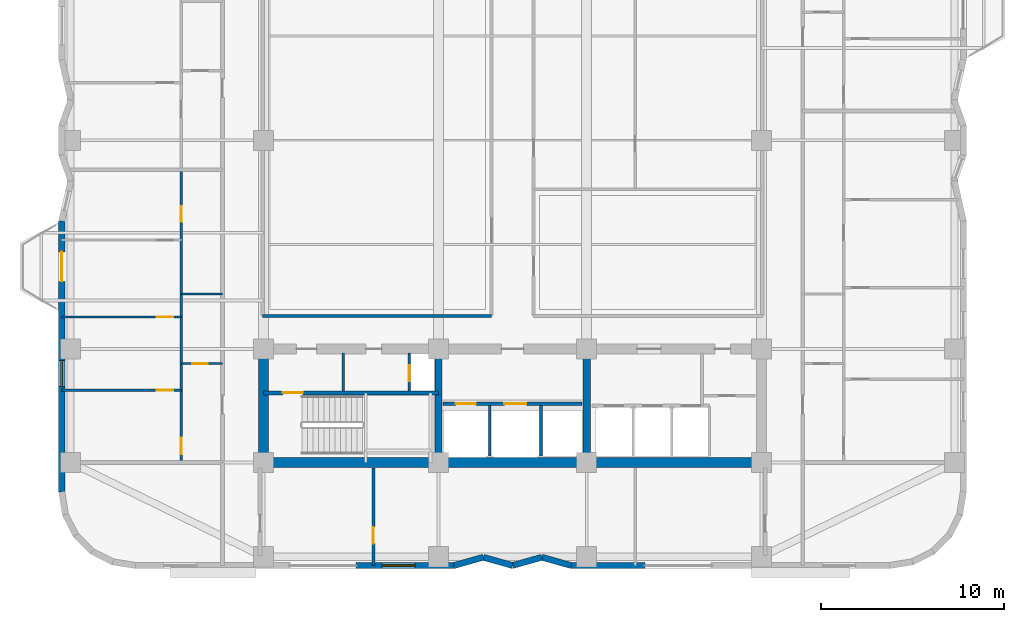
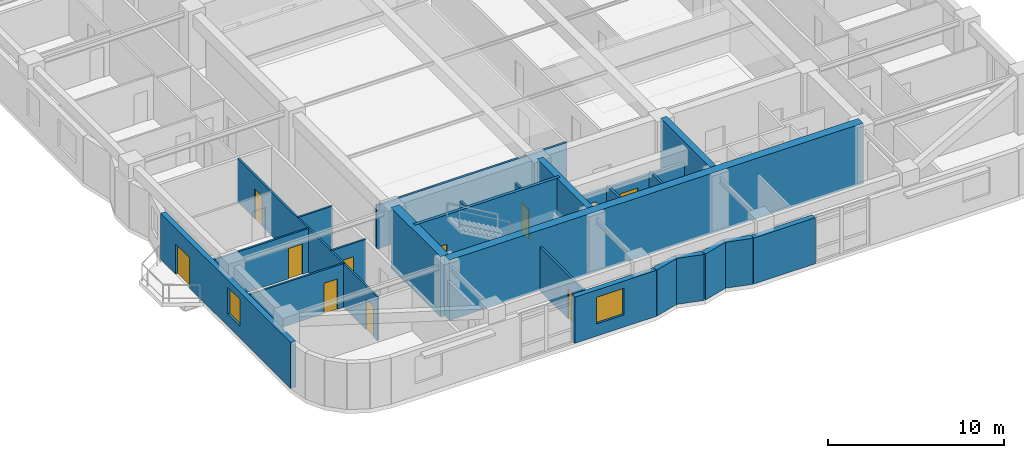
# One storey, part 7 of 15: 24 walls, 11 doors, 2 windows, 13 openings.
"""IFC4 building model written with IfcOpenShell, lengths in metres."""

from ifc_helpers import new_model, si_unit, direction, frame, frame_2d, origin, place, context, subcontext, project, spatial, rectangle, extrude, material, layer, layer_set, type_object, element, fill, save


model = new_model("IFC4")

# Units and contexts
model_context = context("Model", 3, precision=1e-05, world=origin(), true_north=direction((0.0, 1.0)))
body_context = subcontext(model_context, "Body", "Model", "MODEL_VIEW")
ifc_project = project(units=[si_unit("LENGTHUNIT", "METRE"), si_unit("AREAUNIT", "SQUARE_METRE"), si_unit("VOLUMEUNIT", "CUBIC_METRE"), si_unit("PLANEANGLEUNIT", "RADIAN"), si_unit("MASSUNIT", "GRAM", prefix="KILO")], contexts=[model_context])

# Site, building, storey
site_placement = place(None, origin())
site = spatial("IfcSite", under=ifc_project, at=site_placement, CompositionType="ELEMENT")
building_placement = place(site_placement, origin())
building = spatial("IfcBuilding", under=site, at=building_placement, Name="Svetorya Sky Lyceum", CompositionType="ELEMENT")
storey_placement = place(building_placement, frame((0.0, 0.0, 84.10009765625)))
storey = spatial("IfcBuildingStorey", under=building, at=storey_placement, Name="L20", CompositionType="ELEMENT", Elevation=84.10009765625)

# Walls
ifc_material_1 = material(Name="Concrete C40/50", Category="concrete")
ifc_layer_1 = layer(ifc_material_1, 0.39990234375)
ifc_layer_set_1 = layer_set([ifc_layer_1], Name="Concrete C40/50")
wall_type_1 = type_object("IfcWallType", Name="WL-CORE-400", PredefinedType="SHEAR", material=ifc_layer_set_1)
for number, where, z_axis, x_axis, name in (
    (1, (35.14990234375, 10.875, 0.0), (0.0, 0.0, 1.0), (0.0, 1.0, 0.0), "L20 SC Internal Shear Web WEB1"),
    (2, (43.25, 10.875, 0.0), (0.0, 0.0, 1.0), (0.0, 1.0, 0.0), "L20 SC Internal Shear Web WEB2"),
):
    element("IfcWall", number, at=place(storey_placement, frame(where, z_axis=z_axis, x_axis=x_axis)), inside=storey, type_object=wall_type_1, Name=name, PredefinedType="SHEAR", context=body_context, shape_type="SweptSolid", body=[
        extrude(rectangle(XDim=5.64990234375, YDim=0.39990234375, at=frame_2d((2.824951171875, 0.0))), origin(), (0.0, 0.0, 1.0), 4.199951171875),
    ])
ifc_material_2 = material(Name="Concrete C60/75", Category="concrete")
ifc_layer_2 = layer(ifc_material_2, 0.550048828125)
ifc_layer_set_2 = layer_set([ifc_layer_2], Name="Concrete C60/75")
wall_type_2 = type_object("IfcWallType", Name="WL-CORE-550", PredefinedType="SHEAR", material=ifc_layer_set_2)
wall_1_placement = place(storey_placement, frame((52.800048828125, 10.60009765625, 0.0), z_axis=(0.0, 0.0, 1.0), x_axis=(-1.0, 0.0, 0.0)))
element("IfcWall", 3, at=wall_1_placement, inside=storey, type_object=wall_type_2, Name="L20 SC Outer Core Shear Wall", PredefinedType="SHEAR", context=body_context, shape_type="SweptSolid", body=[
    extrude(rectangle(XDim=27.199951171875, YDim=0.550048828125, at=frame_2d((13.60009765625, 0.0))), origin(), (0.0, 0.0, 1.0), 4.199951171875),
])
wall_2_placement = place(storey_placement, frame((25.60009765625, 10.875, 0.0), z_axis=(0.0, 0.0, 1.0), x_axis=(0.0, 1.0, 0.0)))
element("IfcWall", 4, at=wall_2_placement, inside=storey, type_object=wall_type_2, Name="L20 SC West Core Shear Wall", PredefinedType="SHEAR", context=body_context, shape_type="SweptSolid", body=[
    extrude(rectangle(XDim=5.64990234375, YDim=0.550048828125, at=frame_2d((2.824951171875, 0.0))), origin(), (0.0, 0.0, 1.0), 4.199951171875),
])

# Wall, opening, window
ifc_material_3 = material(Name="Putilovo limestone rainscreen on autoclaved cellular masonry", Category="masonry")
ifc_layer_3 = layer(ifc_material_3, 0.340087890625)
ifc_layer_set_3 = layer_set([ifc_layer_3], Name="Putilovo limestone rainscreen on autoclaved cellular masonry")
wall_type_3 = type_object("IfcWallType", Name="WL-EXT-340", PredefinedType="SOLIDWALL", material=ifc_layer_set_3)
wall_3_placement = place(storey_placement, frame((30.64990234375, 4.969970703125, 0.0), z_axis=(0.0, 0.0, 1.0), x_axis=(1.0, 0.0, 0.0)))
wall_3 = element("IfcWall", 5, at=wall_3_placement, inside=storey, type_object=wall_type_3, Name="L20 Limestone Exterior Wall 6B", PredefinedType="SOLIDWALL", context=body_context, shape_type="SweptSolid", body=[
    extrude(rectangle(XDim=5.35009765625, YDim=0.340087890625, at=frame_2d((2.675048828125, 0.0))), origin(), (0.0, 0.0, 1.0), 3.199951171875),
])
opening_1_placement = place(wall_3_placement, frame((1.425048828125, 0.0, 0.85009765625)))
opening_1 = element("IfcOpeningElement", 6, at=opening_1_placement, cuts=wall_3, Name="Opening W-R1", PredefinedType="OPENING", context=body_context, shape_type="SweptSolid", body=[
    extrude(rectangle(XDim=1.800048828125, YDim=1.85009765625, at=frame_2d((0.89990234375, 0.925048828125))), frame((0.0, 0.179931640625, 0.0), z_axis=(0.0, -1.0, 0.0), x_axis=(1.0, 0.0, 0.0)), (0.0, 0.0, 1.0), 0.360107421875),
])
ifc_material_4 = material(Name="Thermally broken aluminium frame with triple low-E glazing", Category="aluminium")
window_type_1 = type_object("IfcWindowType", Name="WN-RES-180", PartitioningType="DOUBLE_PANEL_VERTICAL", PredefinedType="WINDOW", material=ifc_material_4)
window_1_placement = place(opening_1_placement, origin())
window_1 = element("IfcWindow", 7, at=window_1_placement, inside=storey, type_object=window_type_1, Name="L20 Facade Window W-R1.6B.1", OverallHeight=1.85009765625, OverallWidth=1.800048828125, PartitioningType="SINGLE_PANEL", PredefinedType="WINDOW", context=body_context, shape_type="SweptSolid", body=[
    extrude(rectangle(XDim=1.800048828125, YDim=1.85009765625, at=frame_2d((0.89990234375, 0.925048828125))), frame((0.0, 0.030029296875, 0.0), z_axis=(0.0, -1.0, 0.0), x_axis=(1.0, 0.0, 0.0)), (0.0, 0.0, 1.0), 0.06005859375),
])
fill(opening_1, window_1)

# Walls
wall_4_placement = place(storey_placement, frame((36.0, 4.969970703125, 0.0), z_axis=(0.0, 0.0, 1.0), x_axis=(0.962662902433, 0.270703040766, 0.0)))
element("IfcWall", 8, at=wall_4_placement, inside=storey, type_object=wall_type_3, Name="L20 Limestone Exterior Wall 7M", PredefinedType="SOLIDWALL", context=body_context, shape_type="SweptSolid", body=[
    extrude(rectangle(XDim=1.662109375, YDim=0.340087890625, at=frame_2d((0.8310546875, 0.0))), origin(), (0.0, 0.0, 1.0), 3.199951171875),
])
wall_5_placement = place(storey_placement, frame((37.60009765625, 5.419921875, 0.0), z_axis=(0.0, 0.0, 1.0), x_axis=(0.962652136636, -0.270741322725, 0.0)))
element("IfcWall", 9, at=wall_5_placement, inside=storey, type_object=wall_type_3, Name="L20 Limestone Exterior Wall 8M", PredefinedType="SOLIDWALL", context=body_context, shape_type="SweptSolid", body=[
    extrude(rectangle(XDim=1.661865234375, YDim=0.340087890625, at=frame_2d((0.8310546875, 0.0))), origin(), (0.0, 0.0, 1.0), 3.199951171875),
])
wall_6_placement = place(storey_placement, frame((39.199951171875, 4.969970703125, 0.0), z_axis=(0.0, 0.0, 1.0), x_axis=(0.962662902433, 0.270703040766, 0.0)))
element("IfcWall", 10, at=wall_6_placement, inside=storey, type_object=wall_type_3, Name="L20 Limestone Exterior Wall 9M", PredefinedType="SOLIDWALL", context=body_context, shape_type="SweptSolid", body=[
    extrude(rectangle(XDim=1.662109375, YDim=0.340087890625, at=frame_2d((0.8310546875, 0.0))), origin(), (0.0, 0.0, 1.0), 3.199951171875),
])
wall_7_placement = place(storey_placement, frame((40.800048828125, 5.419921875, 0.0), z_axis=(0.0, 0.0, 1.0), x_axis=(0.962652136636, -0.270741322725, 0.0)))
element("IfcWall", 11, at=wall_7_placement, inside=storey, type_object=wall_type_3, Name="L20 Limestone Exterior Wall 10M", PredefinedType="SOLIDWALL", context=body_context, shape_type="SweptSolid", body=[
    extrude(rectangle(XDim=1.661865234375, YDim=0.340087890625, at=frame_2d((0.8310546875, 0.0))), origin(), (0.0, 0.0, 1.0), 3.199951171875),
])
wall_8_placement = place(storey_placement, frame((42.39990234375, 4.969970703125, 0.0), z_axis=(0.0, 0.0, 1.0), x_axis=(1.0, 0.0, 0.0)))
element("IfcWall", 12, at=wall_8_placement, inside=storey, type_object=wall_type_3, Name="L20 Limestone Exterior Wall 11A", PredefinedType="SOLIDWALL", context=body_context, shape_type="SweptSolid", body=[
    extrude(rectangle(XDim=4.050048828125, YDim=0.340087890625, at=frame_2d((2.02490234375, 0.0))), origin(), (0.0, 0.0, 1.0), 3.199951171875),
])

# Wall, openings, door, window
wall_9_placement = place(storey_placement, frame((14.570068359375, 23.800048828125, 0.0), z_axis=(0.0, 0.0, 1.0), x_axis=(0.0, -1.0, 0.0)))
wall_9 = element("IfcWall", 13, at=wall_9_placement, inside=storey, type_object=wall_type_3, Name="L20 Limestone Exterior Wall 46M", PredefinedType="SOLIDWALL", context=body_context, shape_type="SweptSolid", body=[
    extrude(rectangle(XDim=14.800048828125, YDim=0.340087890625, at=frame_2d((7.39990234375, 0.0))), origin(), (0.0, 0.0, 1.0), 3.199951171875),
])
opening_2_placement = place(wall_9_placement, frame((1.699951171875, 0.0, 0.0)))
opening_2 = element("IfcOpeningElement", 14, at=opening_2_placement, cuts=wall_9, Name="Opening D-BL1", PredefinedType="OPENING", context=body_context, shape_type="SweptSolid", body=[
    extrude(rectangle(XDim=1.60009765625, YDim=2.10009765625, at=frame_2d((0.800048828125, 1.050048828125))), frame((0.0, 0.179931640625, 0.0), z_axis=(0.0, -1.0, 0.0), x_axis=(1.0, 0.0, 0.0)), (0.0, 0.0, 1.0), 0.360107421875),
])
opening_3_placement = place(wall_9_placement, frame((7.639892578125, 0.0, 0.85009765625)))
opening_3 = element("IfcOpeningElement", 15, at=opening_3_placement, cuts=wall_9, Name="Opening W-R2", PredefinedType="OPENING", context=body_context, shape_type="SweptSolid", body=[
    extrude(rectangle(XDim=1.39990234375, YDim=1.85009765625, at=frame_2d((0.699951171875, 0.925048828125))), frame((0.0, 0.179931640625, 0.0), z_axis=(0.0, -1.0, 0.0), x_axis=(1.0, 0.0, 0.0)), (0.0, 0.0, 1.0), 0.360107421875),
])
ifc_material_5 = material(Name="Insulated glazed aluminium balcony door", Category="aluminium")
door_type_1 = type_object("IfcDoorType", Name="DR-BAL-1600", OperationType="DOUBLE_DOOR_SINGLE_SWING", PredefinedType="DOOR", material=ifc_material_5)
door_1_placement = place(opening_2_placement, origin())
door_1 = element("IfcDoor", 16, at=door_1_placement, inside=storey, type_object=door_type_1, Name="L20 Balcony BAL-W1 Door", OperationType="DOUBLE_DOOR_SINGLE_SWING", OverallHeight=2.10009765625, OverallWidth=1.60009765625, PredefinedType="DOOR", context=body_context, shape_type="SweptSolid", body=[
    extrude(rectangle(XDim=1.60009765625, YDim=2.10009765625, at=frame_2d((0.800048828125, 1.050048828125))), frame((0.0, 0.02490234375, 0.0), z_axis=(0.0, -1.0, 0.0), x_axis=(1.0, 0.0, 0.0)), (0.0, 0.0, 1.0), 0.050048828125),
])
fill(opening_2, door_1)
window_type_2 = type_object("IfcWindowType", Name="WN-RES-140", PartitioningType="SINGLE_PANEL", PredefinedType="WINDOW", material=ifc_material_4)
window_2_placement = place(opening_3_placement, origin())
window_2 = element("IfcWindow", 17, at=window_2_placement, inside=storey, type_object=window_type_2, Name="L20 Facade Window W-R2.46M.1", OverallHeight=1.85009765625, OverallWidth=1.39990234375, PartitioningType="SINGLE_PANEL", PredefinedType="WINDOW", context=body_context, shape_type="SweptSolid", body=[
    extrude(rectangle(XDim=1.39990234375, YDim=1.85009765625, at=frame_2d((0.699951171875, 0.925048828125))), frame((0.0, 0.030029296875, 0.0), z_axis=(0.0, -1.0, 0.0), x_axis=(1.0, 0.0, 0.0)), (0.0, 0.0, 1.0), 0.06005859375),
])
fill(opening_3, window_2)

# Wall, opening, door
ifc_material_6 = material(Name="Twin-stud galvanized framing with double fireboard", Category="gypsum")
ifc_layer_4 = layer(ifc_material_6, 0.1201171875)
ifc_layer_set_4 = layer_set([ifc_layer_4], Name="Twin-stud galvanized framing with double fireboard")
wall_type_4 = type_object("IfcWallType", Name="WL-PART-120", PredefinedType="PARTITIONING", material=ifc_layer_set_4)
wall_10_placement = place(storey_placement, frame((21.10009765625, 16.0, 0.0), z_axis=(0.0, 0.0, 1.0), x_axis=(1.0, 0.0, 0.0)))
wall_10 = element("IfcWall", 18, at=wall_10_placement, inside=storey, type_object=wall_type_4, Name="L20 Interior Partition W1-WH1", PredefinedType="PARTITIONING", context=body_context, shape_type="SweptSolid", body=[
    extrude(rectangle(XDim=2.25, YDim=0.1201171875, at=frame_2d((1.125, 0.0))), origin(), (0.0, 0.0, 1.0), 3.02978515625),
])
opening_4_placement = place(wall_10_placement, frame((0.60009765625, 0.0, 0.0)))
opening_4 = element("IfcOpeningElement", 19, at=opening_4_placement, cuts=wall_10, Name="Opening D-BT1", PredefinedType="OPENING", context=body_context, shape_type="SweptSolid", body=[
    extrude(rectangle(XDim=0.85009765625, YDim=2.10009765625, at=frame_2d((0.425048828125, 1.050048828125))), frame((0.0, 0.070068359375, 0.0), z_axis=(0.0, -1.0, 0.0), x_axis=(1.0, 0.0, 0.0)), (0.0, 0.0, 1.0), 0.14013671875),
])
ifc_material_7 = material(Name="Moisture-resistant laminate bathroom door")
door_type_2 = type_object("IfcDoorType", Name="DR-WET-850", OperationType="SINGLE_SWING_LEFT", PredefinedType="DOOR", material=ifc_material_7)
door_2_placement = place(opening_4_placement, origin())
door_2 = element("IfcDoor", 20, at=door_2_placement, inside=storey, type_object=door_type_2, Name="Apartment W1 Bathroom Door", OperationType="SINGLE_SWING_LEFT", OverallHeight=2.10009765625, OverallWidth=0.85009765625, PredefinedType="DOOR", context=body_context, shape_type="SweptSolid", body=[
    extrude(rectangle(XDim=0.85009765625, YDim=2.10009765625, at=frame_2d((0.425048828125, 1.050048828125))), frame((0.0, 0.02490234375, 0.0), z_axis=(0.0, -1.0, 0.0), x_axis=(1.0, 0.0, 0.0)), (0.0, 0.0, 1.0), 0.050048828125),
])
fill(opening_4, door_2)

# Wall
wall_11_placement = place(storey_placement, frame((21.10009765625, 19.800048828125, 0.0), z_axis=(0.0, 0.0, 1.0), x_axis=(1.0, 0.0, 0.0)))
element("IfcWall", 21, at=wall_11_placement, inside=storey, type_object=wall_type_4, Name="L20 Interior Partition W1-WH2", PredefinedType="PARTITIONING", context=body_context, shape_type="SweptSolid", body=[
    extrude(rectangle(XDim=2.25, YDim=0.1201171875, at=frame_2d((1.125, 0.0))), origin(), (0.0, 0.0, 1.0), 3.02978515625),
])

# Wall, opening, door
wall_12_placement = place(storey_placement, frame((14.570068359375, 14.550048828125, 0.0), z_axis=(0.0, 0.0, 1.0), x_axis=(1.0, 0.0, 0.0)))
wall_12 = element("IfcWall", 22, at=wall_12_placement, inside=storey, type_object=wall_type_4, Name="L20 Interior Partition W1-WL1", PredefinedType="PARTITIONING", context=body_context, shape_type="SweptSolid", body=[
    extrude(rectangle(XDim=6.530029296875, YDim=0.1201171875, at=frame_2d((3.26513671875, 0.0))), origin(), (0.0, 0.0, 1.0), 3.02978515625),
])
opening_5_placement = place(wall_12_placement, frame((5.179931640625, 0.0, 0.0)))
opening_5 = element("IfcOpeningElement", 23, at=opening_5_placement, cuts=wall_12, Name="Opening D-RM1", PredefinedType="OPENING", context=body_context, shape_type="SweptSolid", body=[
    extrude(rectangle(XDim=0.89990234375, YDim=2.10009765625, at=frame_2d((0.449951171875, 1.050048828125))), frame((0.0, 0.070068359375, 0.0), z_axis=(0.0, -1.0, 0.0), x_axis=(1.0, 0.0, 0.0)), (0.0, 0.0, 1.0), 0.14013671875),
])
ifc_material_8 = material(Name="Lacquered birch veneer internal door")
door_type_3 = type_object("IfcDoorType", Name="DR-INT-900", OperationType="SINGLE_SWING_LEFT", PredefinedType="DOOR", material=ifc_material_8)
door_3_placement = place(opening_5_placement, origin())
door_3 = element("IfcDoor", 24, at=door_3_placement, inside=storey, type_object=door_type_3, Name="Apartment W1 Master Bedroom Door", OperationType="SINGLE_SWING_LEFT", OverallHeight=2.10009765625, OverallWidth=0.89990234375, PredefinedType="DOOR", context=body_context, shape_type="SweptSolid", body=[
    extrude(rectangle(XDim=0.89990234375, YDim=2.10009765625, at=frame_2d((0.449951171875, 1.050048828125))), frame((0.0, 0.02490234375, 0.0), z_axis=(0.0, -1.0, 0.0), x_axis=(1.0, 0.0, 0.0)), (0.0, 0.0, 1.0), 0.050048828125),
])
fill(opening_5, door_3)

wall_13_placement = place(storey_placement, frame((14.570068359375, 18.550048828125, 0.0), z_axis=(0.0, 0.0, 1.0), x_axis=(1.0, 0.0, 0.0)))
wall_13 = element("IfcWall", 25, at=wall_13_placement, inside=storey, type_object=wall_type_4, Name="L20 Interior Partition W1-WL2", PredefinedType="PARTITIONING", context=body_context, shape_type="SweptSolid", body=[
    extrude(rectangle(XDim=6.530029296875, YDim=0.1201171875, at=frame_2d((3.26513671875, 0.0))), origin(), (0.0, 0.0, 1.0), 3.02978515625),
])
opening_6_placement = place(wall_13_placement, frame((5.179931640625, 0.0, 0.0)))
opening_6 = element("IfcOpeningElement", 26, at=opening_6_placement, cuts=wall_13, Name="Opening D-RM1", PredefinedType="OPENING", context=body_context, shape_type="SweptSolid", body=[
    extrude(rectangle(XDim=0.89990234375, YDim=2.10009765625, at=frame_2d((0.449951171875, 1.050048828125))), frame((0.0, 0.070068359375, 0.0), z_axis=(0.0, -1.0, 0.0), x_axis=(1.0, 0.0, 0.0)), (0.0, 0.0, 1.0), 0.14013671875),
])
door_4_placement = place(opening_6_placement, origin())
door_4 = element("IfcDoor", 27, at=door_4_placement, inside=storey, type_object=door_type_3, Name="Apartment W1 Bedroom 2 Door", OperationType="SINGLE_SWING_RIGHT", OverallHeight=2.10009765625, OverallWidth=0.89990234375, PredefinedType="DOOR", context=body_context, shape_type="SweptSolid", body=[
    extrude(rectangle(XDim=0.89990234375, YDim=2.10009765625, at=frame_2d((0.449951171875, 1.050048828125))), frame((0.0, 0.02490234375, 0.0), z_axis=(0.0, -1.0, 0.0), x_axis=(1.0, 0.0, 0.0)), (0.0, 0.0, 1.0), 0.050048828125),
])
fill(opening_6, door_4)

# Wall, openings, doors
wall_14_placement = place(storey_placement, frame((21.10009765625, 10.639892578125, 0.0), z_axis=(0.0, 0.0, 1.0), x_axis=(0.0, 1.0, 0.0)))
wall_14 = element("IfcWall", 28, at=wall_14_placement, inside=storey, type_object=wall_type_4, Name="L20 Interior Partition W1-WV", PredefinedType="PARTITIONING", context=body_context, shape_type="SweptSolid", body=[
    extrude(rectangle(XDim=15.920166015625, YDim=0.1201171875, at=frame_2d((7.9599609375, 0.0))), origin(), (0.0, 0.0, 1.0), 3.02978515625),
])
opening_7_placement = place(wall_14_placement, frame((0.409912109375, 0.0, 0.0)))
opening_7 = element("IfcOpeningElement", 29, at=opening_7_placement, cuts=wall_14, Name="Opening D-RM1", PredefinedType="OPENING", context=body_context, shape_type="SweptSolid", body=[
    extrude(rectangle(XDim=0.89990234375, YDim=2.10009765625, at=frame_2d((0.449951171875, 1.050048828125))), frame((0.0, 0.070068359375, 0.0), z_axis=(0.0, -1.0, 0.0), x_axis=(1.0, 0.0, 0.0)), (0.0, 0.0, 1.0), 0.14013671875),
])
opening_8_placement = place(wall_14_placement, frame((13.125, 0.0, 0.0)))
opening_8 = element("IfcOpeningElement", 30, at=opening_8_placement, cuts=wall_14, Name="Opening D-BT2", PredefinedType="OPENING", context=body_context, shape_type="SweptSolid", body=[
    extrude(rectangle(XDim=0.820068359375, YDim=2.080078125, at=frame_2d((0.41015625, 1.0400390625))), frame((0.0, 0.070068359375, 0.0), z_axis=(0.0, -1.0, 0.0), x_axis=(1.0, 0.0, 0.0)), (0.0, 0.0, 1.0), 0.14013671875),
])
door_5_placement = place(opening_7_placement, origin())
door_5 = element("IfcDoor", 31, at=door_5_placement, inside=storey, type_object=door_type_3, Name="Apartment W1 Living Door", OperationType="SINGLE_SWING_RIGHT", OverallHeight=2.10009765625, OverallWidth=0.89990234375, PredefinedType="DOOR", context=body_context, shape_type="SweptSolid", body=[
    extrude(rectangle(XDim=0.89990234375, YDim=2.10009765625, at=frame_2d((0.449951171875, 1.050048828125))), frame((0.0, 0.02490234375, 0.0), z_axis=(0.0, -1.0, 0.0), x_axis=(1.0, 0.0, 0.0)), (0.0, 0.0, 1.0), 0.050048828125),
])
fill(opening_7, door_5)
ifc_material_9 = material(Name="Compact moisture-resistant laminate closet door")
door_type_4 = type_object("IfcDoorType", Name="DR-WET-820", OperationType="SINGLE_SWING_LEFT", PredefinedType="DOOR", material=ifc_material_9)
door_6_placement = place(opening_8_placement, origin())
door_6 = element("IfcDoor", 32, at=door_6_placement, inside=storey, type_object=door_type_4, Name="Apartment W1 Study Door", OperationType="SINGLE_SWING_LEFT", OverallHeight=2.080078125, OverallWidth=0.820068359375, PredefinedType="DOOR", context=body_context, shape_type="SweptSolid", body=[
    extrude(rectangle(XDim=0.820068359375, YDim=2.080078125, at=frame_2d((0.41015625, 1.0400390625))), frame((0.0, 0.02490234375, 0.0), z_axis=(0.0, -1.0, 0.0), x_axis=(1.0, 0.0, 0.0)), (0.0, 0.0, 1.0), 0.050048828125),
])
fill(opening_8, door_6)

# Wall
ifc_material_10 = material(Name="Autoclaved cellular masonry blockwork with acoustic render", Category="masonry")
ifc_layer_5 = layer(ifc_material_10, 0.14990234375)
ifc_layer_set_5 = layer_set([ifc_layer_5], Name="Autoclaved cellular masonry blockwork with acoustic render")
wall_type_5 = type_object("IfcWallType", Name="WL-PART-150", PredefinedType="PARTITIONING", material=ifc_layer_set_5)
wall_15_placement = place(storey_placement, frame((29.949951171875, 14.5, 0.0), z_axis=(0.0, 0.0, 1.0), x_axis=(0.0, 1.0, 0.0)))
element("IfcWall", 33, at=wall_15_placement, inside=storey, type_object=wall_type_5, Name="L20 Interior Partition SC-SWD1", PredefinedType="PARTITIONING", context=body_context, shape_type="SweptSolid", body=[
    extrude(rectangle(XDim=2.080078125, YDim=0.14990234375, at=frame_2d((1.0400390625, 0.0))), origin(), (0.0, 0.0, 1.0), 3.02978515625),
])

# Wall, opening, door
wall_16_placement = place(storey_placement, frame((33.550048828125, 14.5, 0.0), z_axis=(0.0, 0.0, 1.0), x_axis=(0.0, 1.0, 0.0)))
wall_16 = element("IfcWall", 34, at=wall_16_placement, inside=storey, type_object=wall_type_5, Name="L20 Interior Partition SC-SWD2", PredefinedType="PARTITIONING", context=body_context, shape_type="SweptSolid", body=[
    extrude(rectangle(XDim=2.080078125, YDim=0.14990234375, at=frame_2d((1.0400390625, 0.0))), origin(), (0.0, 0.0, 1.0), 3.02978515625),
])
opening_9_placement = place(wall_16_placement, frame((0.550048828125, 0.0, 0.0)))
opening_9 = element("IfcOpeningElement", 35, at=opening_9_placement, cuts=wall_16, Name="Opening D-SH1", PredefinedType="OPENING", context=body_context, shape_type="SweptSolid", body=[
    extrude(rectangle(XDim=0.85009765625, YDim=2.050048828125, at=frame_2d((0.425048828125, 1.02490234375))), frame((0.0, 0.0849609375, 0.0), z_axis=(0.0, -1.0, 0.0), x_axis=(1.0, 0.0, 0.0)), (0.0, 0.0, 1.0), 0.169921875),
])
ifc_material_11 = material(Name="Insulated galvanized riser inspection fire door")
door_type_5 = type_object("IfcDoorType", Name="DR-SHFT-850", OperationType="SINGLE_SWING_LEFT", PredefinedType="TRAPDOOR", material=ifc_material_11)
door_7_placement = place(opening_9_placement, origin())
door_7 = element("IfcDoor", 36, at=door_7_placement, inside=storey, type_object=door_type_5, Name="L20 South Riser Access Door", OperationType="SINGLE_SWING_RIGHT", OverallHeight=2.050048828125, OverallWidth=0.85009765625, PredefinedType="TRAPDOOR", context=body_context, shape_type="SweptSolid", body=[
    extrude(rectangle(XDim=0.85009765625, YDim=2.050048828125, at=frame_2d((0.425048828125, 1.02490234375))), frame((0.0, 0.02490234375, 0.0), z_axis=(0.0, -1.0, 0.0), x_axis=(1.0, 0.0, 0.0)), (0.0, 0.0, 1.0), 0.050048828125),
])
fill(opening_9, door_7)

# Walls
for number, where, z_axis, x_axis, name in (
    (37, (37.949951171875, 10.949951171875, 0.0), (0.0, 0.0, 1.0), (0.0, 1.0, 0.0), "L20 Interior Partition SC-SHD1"),
    (38, (40.75, 10.949951171875, 0.0), (0.0, 0.0, 1.0), (0.0, 1.0, 0.0), "L20 Interior Partition SC-SHD2"),
):
    element("IfcWall", number, at=place(storey_placement, frame(where, z_axis=z_axis, x_axis=x_axis)), inside=storey, type_object=wall_type_5, Name=name, PredefinedType="PARTITIONING", context=body_context, shape_type="SweptSolid", body=[
        extrude(rectangle(XDim=2.75, YDim=0.14990234375, at=frame_2d((1.375, 0.0))), origin(), (0.0, 0.0, 1.0), 3.02978515625),
    ])
wall_17_placement = place(storey_placement, frame((25.550048828125, 18.60009765625, 0.0), z_axis=(0.0, 0.0, 1.0), x_axis=(1.0, 0.0, 0.0)))
element("IfcWall", 39, at=wall_17_placement, inside=storey, type_object=wall_type_5, Name="L20 Interior Partition CS-MID-W", PredefinedType="PARTITIONING", context=body_context, shape_type="SweptSolid", body=[
    extrude(rectangle(XDim=12.5, YDim=0.14990234375, at=frame_2d((6.25, 0.0))), origin(), (0.0, 0.0, 1.0), 3.02978515625),
])

# Wall, opening, door
wall_18_placement = place(storey_placement, frame((31.60009765625, 4.969970703125, 0.0), z_axis=(0.0, 0.0, 1.0), x_axis=(0.0, 1.0, 0.0)))
wall_18 = element("IfcWall", 40, at=wall_18_placement, inside=storey, type_object=wall_type_5, Name="L20 Interior Partition S-D1", PredefinedType="PARTITIONING", context=body_context, shape_type="SweptSolid", body=[
    extrude(rectangle(XDim=5.330078125, YDim=0.14990234375, at=frame_2d((2.6650390625, 0.0))), origin(), (0.0, 0.0, 1.0), 3.02978515625),
])
opening_10_placement = place(wall_18_placement, frame((1.199951171875, 0.0, 0.0)))
opening_10 = element("IfcOpeningElement", 41, at=opening_10_placement, cuts=wall_18, Name="Opening D-RM1", PredefinedType="OPENING", context=body_context, shape_type="SweptSolid", body=[
    extrude(rectangle(XDim=0.89990234375, YDim=2.10009765625, at=frame_2d((0.449951171875, 1.050048828125))), frame((0.0, 0.0849609375, 0.0), z_axis=(0.0, -1.0, 0.0), x_axis=(1.0, 0.0, 0.0)), (0.0, 0.0, 1.0), 0.169921875),
])
door_8_placement = place(opening_10_placement, origin())
door_8 = element("IfcDoor", 42, at=door_8_placement, inside=storey, type_object=door_type_3, Name="L20 South Store Door", OperationType="SINGLE_SWING_LEFT", OverallHeight=2.10009765625, OverallWidth=0.89990234375, PredefinedType="DOOR", context=body_context, shape_type="SweptSolid", body=[
    extrude(rectangle(XDim=0.89990234375, YDim=2.10009765625, at=frame_2d((0.449951171875, 1.050048828125))), frame((0.0, 0.02490234375, 0.0), z_axis=(0.0, -1.0, 0.0), x_axis=(1.0, 0.0, 0.0)), (0.0, 0.0, 1.0), 0.050048828125),
])
fill(opening_10, door_8)

# Wall, openings, doors
ifc_material_12 = material(Name="Autoclaved cellular masonry blockwork with gypsum plaster", Category="masonry")
ifc_layer_6 = layer(ifc_material_12, 0.199951171875)
ifc_layer_set_6 = layer_set([ifc_layer_6], Name="Autoclaved cellular masonry blockwork with gypsum plaster")
wall_type_6 = type_object("IfcWallType", Name="WL-PART-200", PredefinedType="PARTITIONING", material=ifc_layer_set_6)
wall_19_placement = place(storey_placement, frame((35.39990234375, 13.800048828125, 0.0), z_axis=(0.0, 0.0, 1.0), x_axis=(1.0, 0.0, 0.0)))
wall_19 = element("IfcWall", 43, at=wall_19_placement, inside=storey, type_object=wall_type_6, Name="L20 Interior Partition SC-FLW", PredefinedType="PARTITIONING", context=body_context, shape_type="SweptSolid", body=[
    extrude(rectangle(XDim=7.60009765625, YDim=0.199951171875, at=frame_2d((3.800048828125, 0.0))), origin(), (0.0, 0.0, 1.0), 2.7998046875),
])
opening_11_placement = place(wall_19_placement, frame((0.699951171875, 0.0, 0.0)))
opening_11 = element("IfcOpeningElement", 44, at=opening_11_placement, cuts=wall_19, Name="Opening LD-FL", PredefinedType="OPENING", context=body_context, shape_type="SweptSolid", body=[
    extrude(rectangle(XDim=1.10009765625, YDim=2.14990234375, at=frame_2d((0.550048828125, 1.074951171875))), frame((0.0, 0.10986328125, 0.0), z_axis=(0.0, -1.0, 0.0), x_axis=(1.0, 0.0, 0.0)), (0.0, 0.0, 1.0), 0.219970703125),
])
opening_12_placement = place(wall_19_placement, frame((3.35009765625, 0.0, 0.0)))
opening_12 = element("IfcOpeningElement", 45, at=opening_12_placement, cuts=wall_19, Name="Opening LD-SV", PredefinedType="OPENING", context=body_context, shape_type="SweptSolid", body=[
    extrude(rectangle(XDim=1.199951171875, YDim=2.14990234375, at=frame_2d((0.60009765625, 1.074951171875))), frame((0.0, 0.10986328125, 0.0), z_axis=(0.0, -1.0, 0.0), x_axis=(1.0, 0.0, 0.0)), (0.0, 0.0, 1.0), 0.219970703125),
])
ifc_material_13 = material(Name="Fire-rated stainless AISI 304 firefighting lift landing door")
door_type_6 = type_object("IfcDoorType", Name="DR-LIFT-1100", OperationType="SLIDING_TO_LEFT", PredefinedType="DOOR", material=ifc_material_13)
door_9_placement = place(opening_11_placement, origin())
door_9 = element("IfcDoor", 46, at=door_9_placement, inside=storey, type_object=door_type_6, Name="L20 Firefighting Lift FL2 Landing Door", OperationType="SLIDING_TO_LEFT", OverallHeight=2.14990234375, OverallWidth=1.10009765625, PredefinedType="DOOR", context=body_context, shape_type="SweptSolid", body=[
    extrude(rectangle(XDim=1.10009765625, YDim=2.14990234375, at=frame_2d((0.550048828125, 1.074951171875))), frame((0.0, 0.02490234375, 0.0), z_axis=(0.0, -1.0, 0.0), x_axis=(1.0, 0.0, 0.0)), (0.0, 0.0, 1.0), 0.050048828125),
])
fill(opening_11, door_9)
ifc_material_14 = material(Name="Brushed stainless AISI 304 telescopic lift landing door")
door_type_7 = type_object("IfcDoorType", Name="DR-LIFT-1200", OperationType="SLIDING_TO_LEFT", PredefinedType="DOOR", material=ifc_material_14)
door_10_placement = place(opening_12_placement, origin())
door_10 = element("IfcDoor", 47, at=door_10_placement, inside=storey, type_object=door_type_7, Name="L20 Service Lift SVL1 Landing Door", OperationType="SLIDING_TO_LEFT", OverallHeight=2.14990234375, OverallWidth=1.199951171875, PredefinedType="DOOR", context=body_context, shape_type="SweptSolid", body=[
    extrude(rectangle(XDim=1.199951171875, YDim=2.14990234375, at=frame_2d((0.60009765625, 1.074951171875))), frame((0.0, 0.02490234375, 0.0), z_axis=(0.0, -1.0, 0.0), x_axis=(1.0, 0.0, 0.0)), (0.0, 0.0, 1.0), 0.050048828125),
])
fill(opening_12, door_10)

# Wall, opening, door
ifc_material_15 = material(Name="Concrete C50/60", Category="concrete")
ifc_layer_7 = layer(ifc_material_15, 0.199951171875)
ifc_layer_set_7 = layer_set([ifc_layer_7], Name="Concrete C50/60")
wall_type_7 = type_object("IfcWallType", Name="WL-SHW-200", PredefinedType="SHEAR", material=ifc_layer_set_7)
wall_20_placement = place(storey_placement, frame((25.60009765625, 14.39990234375, 0.0), z_axis=(0.0, 0.0, 1.0), x_axis=(1.0, 0.0, 0.0)))
wall_20 = element("IfcWall", 48, at=wall_20_placement, inside=storey, type_object=wall_type_7, Name="L20 Structural Stair Shaft Wall SC-STW", PredefinedType="SHEAR", context=body_context, shape_type="SweptSolid", body=[
    extrude(rectangle(XDim=9.5498046875, YDim=0.199951171875, at=frame_2d((4.77490234375, 0.0))), origin(), (0.0, 0.0, 1.0), 4.199951171875),
])
opening_13_placement = place(wall_20_placement, frame((1.050048828125, 0.0, 0.0)))
opening_13 = element("IfcOpeningElement", 49, at=opening_13_placement, cuts=wall_20, Name="Opening D-ST1", PredefinedType="OPENING", context=body_context, shape_type="SweptSolid", body=[
    extrude(rectangle(XDim=1.10009765625, YDim=2.14990234375, at=frame_2d((0.550048828125, 1.074951171875))), frame((0.0, 0.10986328125, 0.0), z_axis=(0.0, -1.0, 0.0), x_axis=(1.0, 0.0, 0.0)), (0.0, 0.0, 1.0), 0.219970703125),
])
ifc_material_16 = material(Name="Powder-coated insulated galvanized stair fire door")
door_type_8 = type_object("IfcDoorType", Name="DR-FIRE-1100", OperationType="SINGLE_SWING_LEFT", PredefinedType="DOOR", material=ifc_material_16)
door_11_placement = place(opening_13_placement, origin())
door_11 = element("IfcDoor", 50, at=door_11_placement, inside=storey, type_object=door_type_8, Name="L20 Stair ST-S Vestibule Fire Door", OperationType="SINGLE_SWING_LEFT", OverallHeight=2.14990234375, OverallWidth=1.10009765625, PredefinedType="DOOR", context=body_context, shape_type="SweptSolid", body=[
    extrude(rectangle(XDim=1.10009765625, YDim=2.14990234375, at=frame_2d((0.550048828125, 1.074951171875))), frame((0.0, 0.02490234375, 0.0), z_axis=(0.0, -1.0, 0.0), x_axis=(1.0, 0.0, 0.0)), (0.0, 0.0, 1.0), 0.050048828125),
])
fill(opening_13, door_11)

save(model, "model.ifc")
